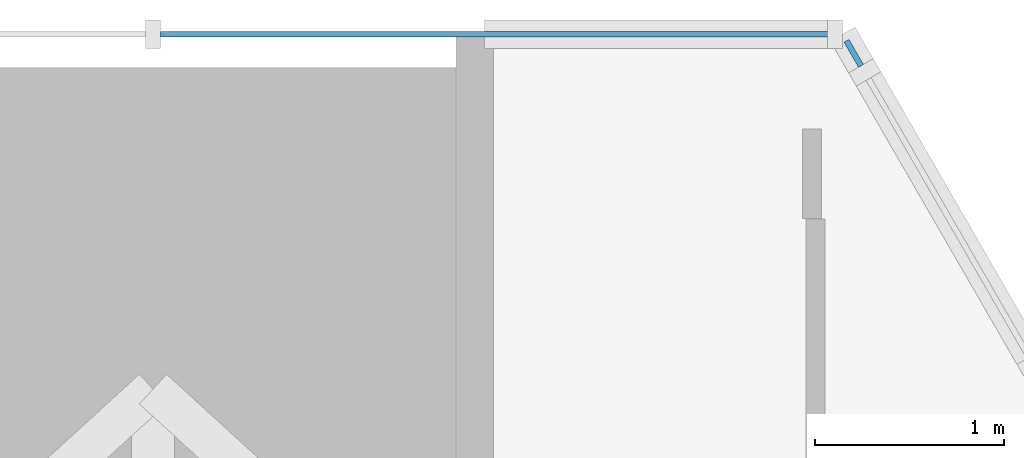
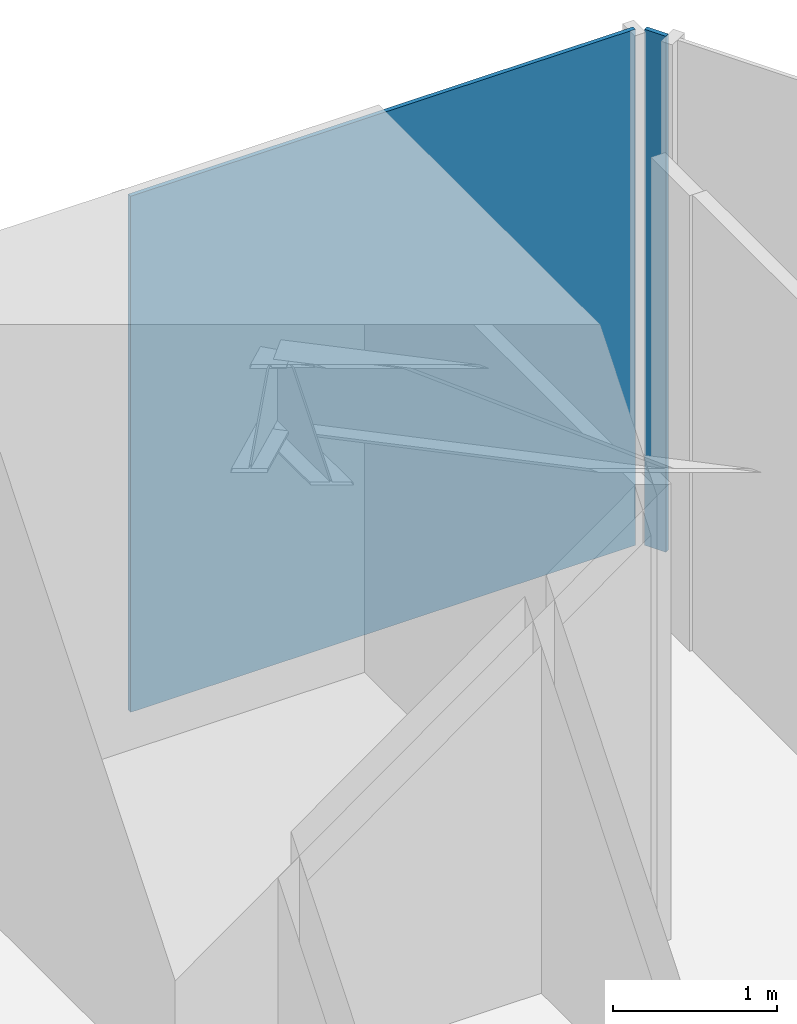
# One storey, part 19 of 29: 2 plates, 2 elements without a shape of their own.
"""IFC4 building model written with IfcOpenShell, lengths in metres."""

from ifc_helpers import new_model, si_unit, direction, frame, origin, place, context, subcontext, project, spatial, polyline, outline, extrude, material, layer, layer_set, type_object, element, aggregate, save


model = new_model("IFC4")

# Units and contexts
model_context = context("Model", 3, precision=1e-05, world=origin(), true_north=direction((0.0, 1.0)))
body_context = subcontext(model_context, "Body", "Model", "MODEL_VIEW")
ifc_project = project(units=[si_unit("LENGTHUNIT", "METRE"), si_unit("AREAUNIT", "SQUARE_METRE"), si_unit("VOLUMEUNIT", "CUBIC_METRE"), si_unit("PLANEANGLEUNIT", "RADIAN"), si_unit("MASSUNIT", "GRAM", prefix="KILO")], contexts=[model_context])

# Site, building, storey
site_placement = place(None, origin())
site = spatial("IfcSite", under=ifc_project, at=site_placement, CompositionType="ELEMENT")
building_placement = place(site_placement, origin())
building = spatial("IfcBuilding", under=site, at=building_placement, Name="Firuza Gate Tower and Library", CompositionType="ELEMENT")
storey_placement = place(building_placement, frame((0.0, 0.0, 48.39990234375)))
storey = spatial("IfcBuildingStorey", under=building, at=storey_placement, Name="L10", CompositionType="ELEMENT", Elevation=48.39990234375)

# Curtain wall, plate
ifc_material_1 = material(Name="Aluminium 6063-T6", Category="aluminium")
ifc_layer_1 = layer(ifc_material_1, 0.14990234375)
ifc_layer_set_1 = layer_set([ifc_layer_1], Name="Corner curtain wall, chamfers")
curtain_wall_type_1 = type_object("IfcCurtainWallType", Name="Corner curtain wall, chamfers", PredefinedType="NOTDEFINED", material=ifc_layer_set_1)
placement = place(storey_placement, origin())
curtain_wall_1 = element("IfcCurtainWall", 1, at=placement, inside=storey, type_object=curtain_wall_type_1, Name="CW4 L10 N corner", PredefinedType="NOTDEFINED")
ifc_material_2 = material(Name="Fritted glass", Category="glass")
ifc_layer_2 = layer(ifc_material_2, 0.030029296875)
ifc_layer_set_2 = layer_set([ifc_layer_2], Name="Fritted glass unit, corners")
plate_type_1 = type_object("IfcPlateType", Name="Fritted glass unit, corners", PredefinedType="CURTAIN_PANEL", material=ifc_layer_set_2)
plate_1_placement = place(storey_placement, frame((78.603271484375, 110.310302734375, 0.150146484375), z_axis=(0.0, 1.0, 0.0), x_axis=(-1.0, 0.0, 0.0)))
plate_1 = element("IfcPlate", 2, at=plate_1_placement, type_object=plate_type_1, Name="Glass unit", PredefinedType="CURTAIN_PANEL", context=body_context, shape_type="SweptSolid", body=[
    extrude(outline(polyline([(0.0, 0.0), (3.563232421875, 0.0), (3.563232421875, 3.849853515625), (0.0, 3.849853515625), (0.0, 0.0)])), origin(), (0.0, 0.0, -1.0), 0.030029296875),
])
aggregate(curtain_wall_1, [plate_1])

ifc_material_3 = material(Name="Aluminium 6063-T6", Category="aluminium")
ifc_layer_3 = layer(ifc_material_3, 0.14990234375)
ifc_layer_set_3 = layer_set([ifc_layer_3], Name="Unitised curtain wall, offices")
curtain_wall_type_2 = type_object("IfcCurtainWallType", Name="Unitised curtain wall, offices", PredefinedType="NOTDEFINED", material=ifc_layer_set_3)
curtain_wall_2 = element("IfcCurtainWall", 3, at=placement, inside=storey, type_object=curtain_wall_type_2, Name="CW1 L10 E face", PredefinedType="NOTDEFINED")
ifc_material_4 = material(Name="Glazed ceramic tile")
ifc_layer_4 = layer(ifc_material_4, 0.030029296875)
ifc_layer_set_4 = layer_set([ifc_layer_4], Name="Opaque ceramic panel, offices")
plate_type_2 = type_object("IfcPlateType", Name="Opaque ceramic panel, offices", PredefinedType="CURTAIN_PANEL", material=ifc_layer_set_4)
plate_2_placement = place(storey_placement, frame((78.752685546875, 110.1357421875, 0.150146484375), z_axis=(0.865972712538, 0.500091252813, 0.0), x_axis=(-0.500091252813, 0.865972712538, 0.0)))
plate_2 = element("IfcPlate", 4, at=plate_2_placement, type_object=plate_type_2, Name="Opaque ceramic panel", PredefinedType="CURTAIN_PANEL", context=body_context, shape_type="SweptSolid", body=[
    extrude(outline(polyline([(0.0, 0.0), (0.1528041436342552, 0.0), (0.1528041436342552, 3.849853515625), (0.0, 3.849853515625), (0.0, 0.0)])), origin(), (0.0, 0.0, -1.0), 0.030029296875),
])
aggregate(curtain_wall_2, [plate_2])

save(model, "model.ifc")
